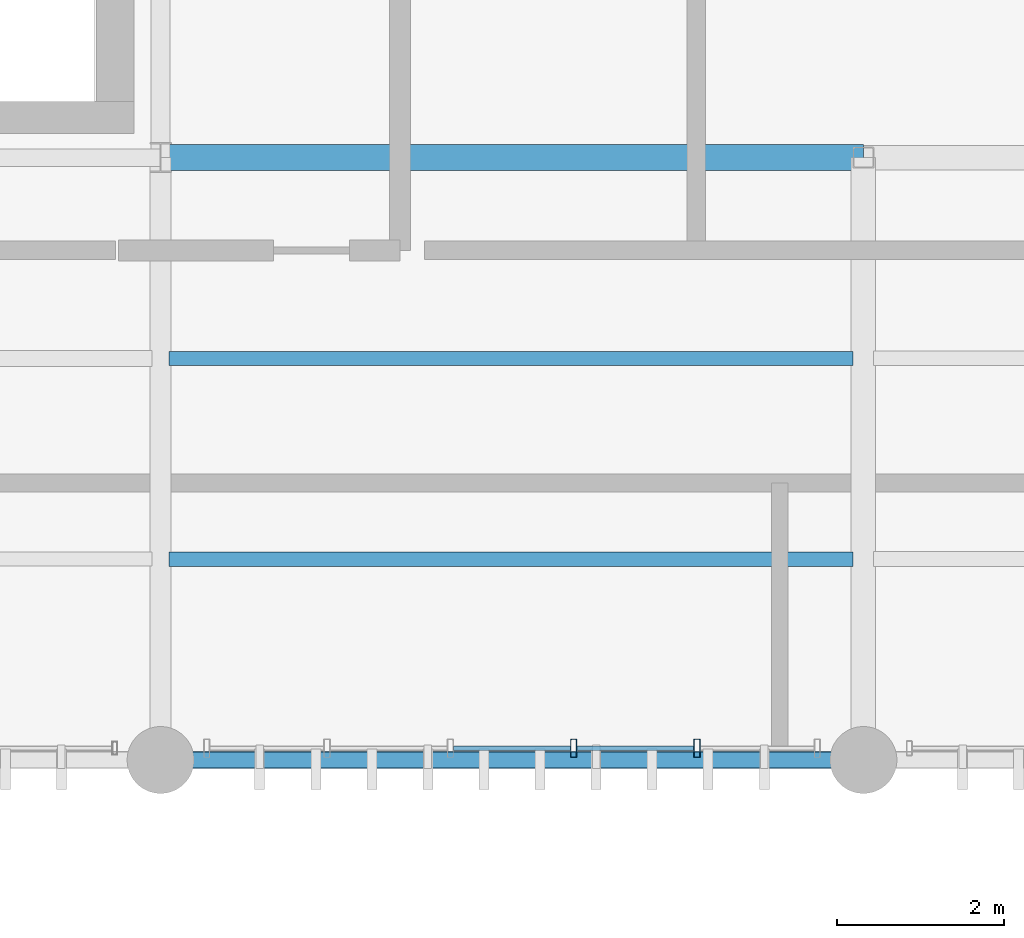
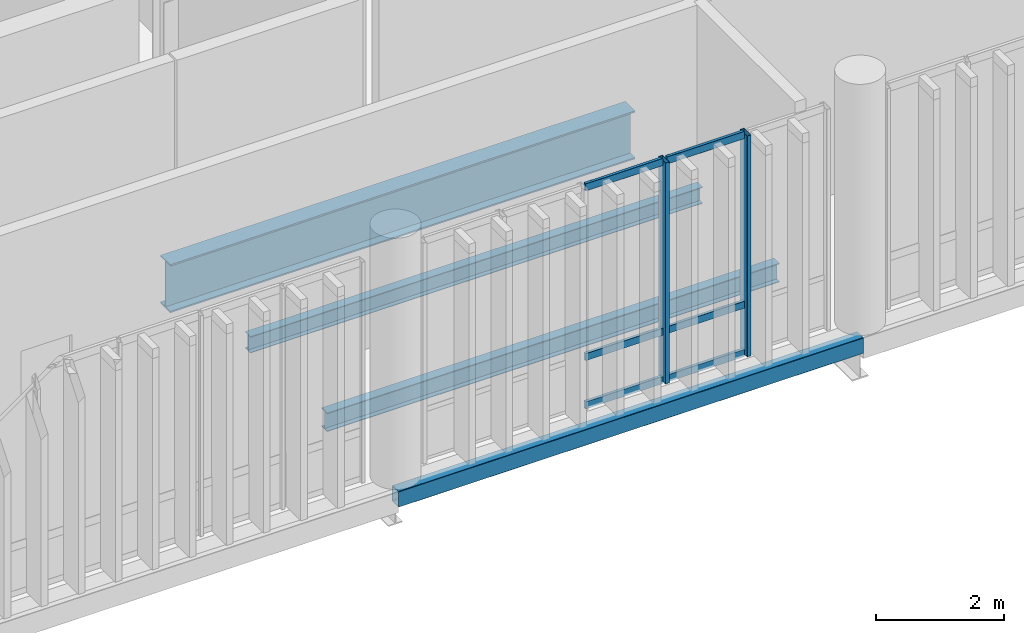
# One storey, part 31 of 94: 8 members, 4 beams, 1 element without a shape of its own.
"""IFC4 building model written with IfcOpenShell, lengths in metres."""

from ifc_helpers import new_model, si_unit, direction, frame, origin_with_axes, origin_2d_with_axis, place, context, subcontext, project, spatial, hollow_rectangle, i_section, extrude, material, material_profile, profile_set, type_object, element, aggregate, save


model = new_model("IFC4")

# Units and contexts
model_context = context("Model", 3, precision=1e-05, world=origin_with_axes(), true_north=direction((0.0, 1.0)))
body_context = subcontext(model_context, "Body", "Model", "MODEL_VIEW")
ifc_project = project(units=[si_unit("LENGTHUNIT", "METRE"), si_unit("AREAUNIT", "SQUARE_METRE"), si_unit("VOLUMEUNIT", "CUBIC_METRE"), si_unit("PLANEANGLEUNIT", "RADIAN"), si_unit("MASSUNIT", "GRAM", prefix="KILO"), si_unit("THERMODYNAMICTEMPERATUREUNIT", "KELVIN")], contexts=[model_context])

# Site, building, storey
site_placement = place(None, origin_with_axes())
site = spatial("IfcSite", under=ifc_project, at=site_placement, CompositionType="ELEMENT")
building_placement = place(site_placement, origin_with_axes())
building = spatial("IfcBuilding", under=site, at=building_placement, Name="Montbau Bow Law Courts", CompositionType="ELEMENT")
storey_placement = place(building_placement, frame((0.0, 0.0, 15.6), z_axis=(0.0, 0.0, 1.0), x_axis=(1.0, 0.0, 0.0)))
storey = spatial("IfcBuildingStorey", under=building, at=storey_placement, Name="L03", CompositionType="ELEMENT", Elevation=15.6)

# Beams
ifc_material_1 = material(Name="Steel CSA G40.21 Grade 350W (350 MPa)", Category="steel")
ifc_material_profile_1 = material_profile(ifc_material_1, i_section(OverallWidth=0.306, OverallDepth=0.919, WebThickness=0.0173, FlangeThickness=0.0279, at=origin_2d_with_axis()), Name="W920X253", Category="Main", Priority=0)
ifc_profile_set_1 = profile_set([ifc_material_profile_1], Name="Steel CSA G40.21 Grade 350W (350 MPa)")
beam_type_1 = type_object("IfcBeamType", Name="B-FLR-01", PredefinedType="BEAM", material=ifc_profile_set_1)
beam_1_placement = place(None, frame((63.6, 46.2, 14.88), z_axis=(1.0, 0.0, 0.0), x_axis=(0.0, 1.0, 0.0)))
element("IfcBeam", 1, at=beam_1_placement, inside=storey, type_object=beam_type_1, Name="BM-L03-S0882:bm2_0885", PredefinedType="BEAM", context=body_context, shape_type="SweptSolid", body=[
    extrude(i_section(OverallWidth=0.306, OverallDepth=0.919, WebThickness=0.0173, FlangeThickness=0.0279, at=origin_2d_with_axis()), origin_with_axes(), (0.0, 0.0, 1.0), 8.4),
])
ifc_material_profile_2 = material_profile(ifc_material_1, i_section(OverallWidth=0.172, OverallDepth=0.358, WebThickness=0.0079, FlangeThickness=0.0131, at=origin_2d_with_axis()), Name="W360X57", Category="Main", Priority=0)
ifc_profile_set_2 = profile_set([ifc_material_profile_2], Name="Steel CSA G40.21 Grade 350W (350 MPa)")
beam_type_2 = type_object("IfcBeamType", Name="B-JST-03", PredefinedType="JOIST", material=ifc_profile_set_2)
beam_2_placement = place(None, frame((63.703, 41.4, 15.161), z_axis=(1.0, 0.0, 0.0), x_axis=(0.0, 1.0, 0.0)))
element("IfcBeam", 2, at=beam_2_placement, inside=storey, type_object=beam_type_2, Name="JST-L03-S0462:jst2_0462", PredefinedType="JOIST", context=body_context, shape_type="SweptSolid", body=[
    extrude(i_section(OverallWidth=0.172, OverallDepth=0.358, WebThickness=0.0079, FlangeThickness=0.0131, at=origin_2d_with_axis()), origin_with_axes(), (0.0, 0.0, 1.0), 8.174),
])
ifc_material_profile_3 = material_profile(ifc_material_1, i_section(OverallWidth=0.166, OverallDepth=0.313, WebThickness=0.0066, FlangeThickness=0.0112, at=origin_2d_with_axis()), Name="W310X45", Category="Main", Priority=0)
ifc_profile_set_3 = profile_set([ifc_material_profile_3], Name="Steel CSA G40.21 Grade 350W (350 MPa)")
beam_type_3 = type_object("IfcBeamType", Name="B-JST-04", PredefinedType="JOIST", material=ifc_profile_set_3)
beam_3_placement = place(None, frame((63.703, 43.8, 15.184), z_axis=(1.0, 0.0, 0.0), x_axis=(0.0, 1.0, 0.0)))
element("IfcBeam", 3, at=beam_3_placement, inside=storey, type_object=beam_type_3, Name="JST-L03-S0463:jst2_0463", PredefinedType="JOIST", context=body_context, shape_type="SweptSolid", body=[
    extrude(i_section(OverallWidth=0.166, OverallDepth=0.313, WebThickness=0.0066, FlangeThickness=0.0112, at=origin_2d_with_axis()), origin_with_axes(), (0.0, 0.0, 1.0), 8.174),
])
ifc_material_2 = material(Name="Steel CSA G40.21 Grade 350WT (350 MPa)", Category="steel")
ifc_material_profile_4 = material_profile(ifc_material_2, hollow_rectangle(XDim=0.203, YDim=0.305, WallThickness=0.0127, InnerFilletRadius=0.0254, OuterFilletRadius=0.0127, at=origin_2d_with_axis()), Name="HSS305X203X13", Category="Main", Priority=0)
ifc_profile_set_4 = profile_set([ifc_material_profile_4], Name="Steel CSA G40.21 Grade 350WT (350 MPa)")
beam_type_4 = type_object("IfcBeamType", Name="B-SPN-02", PredefinedType="SPANDREL", material=ifc_profile_set_4)
beam_4_placement = place(None, frame((63.6, 39.0, 15.188), z_axis=(1.0, 0.0, 0.0), x_axis=(0.0, 1.0, 0.0)))
element("IfcBeam", 4, at=beam_4_placement, inside=storey, type_object=beam_type_4, Name="SPN-L03-S0876:bm2_0879", PredefinedType="SPANDREL", context=body_context, shape_type="SweptSolid", body=[
    extrude(hollow_rectangle(XDim=0.203, YDim=0.305, WallThickness=0.0127, InnerFilletRadius=0.0254, OuterFilletRadius=0.0127, at=origin_2d_with_axis()), origin_with_axes(), (0.0, 0.0, 1.0), 8.4),
])

# Curtain wall, members
ifc_material_3 = material(Name="Thermally Broken Extruded Aluminium AA 6063-T6", Category="aluminium")
curtain_wall_type = type_object("IfcCurtainWallType", Name="CW-CRM-01", PredefinedType="NOTDEFINED", material=ifc_material_3)
curtain_wall_placement = place(None, frame((64.115, 39.14, 15.6), z_axis=(0.0, 0.0, 1.0), x_axis=(1.0, 0.0, 0.0)))
curtain_wall = element("IfcCurtainWall", 5, at=curtain_wall_placement, inside=storey, type_object=curtain_wall_type, Name="CW-L03-177:cw_0177", PredefinedType="NOTDEFINED")
ifc_material_profile_5 = material_profile(ifc_material_3, hollow_rectangle(XDim=0.075, YDim=0.22, WallThickness=0.005, InnerFilletRadius=0.01, OuterFilletRadius=0.005, at=origin_2d_with_axis()), Name="CWM-220X75", Category="Main", Priority=0)
ifc_profile_set_5 = profile_set([ifc_material_profile_5], Name="Thermally Broken Extruded Aluminium AA 6063-T6")
member_type_1 = type_object("IfcMemberType", Name="M-MUL-01", PredefinedType="MULLION", material=ifc_profile_set_5)
member_1_placement = place(None, frame((68.537, 39.14, 15.6), z_axis=(0.0, 0.0, 1.0), x_axis=(1.0, 0.0, 0.0)))
member_1 = element("IfcMember", 6, at=member_1_placement, type_object=member_type_1, Name="CW-L03-177-M04:cw_0177_M04", PredefinedType="MULLION", context=body_context, shape_type="SweptSolid", body=[
    extrude(hollow_rectangle(XDim=0.075, YDim=0.22, WallThickness=0.005, InnerFilletRadius=0.01, OuterFilletRadius=0.005, at=origin_2d_with_axis()), origin_with_axes(), (0.0, 0.0, 1.0), 4.22),
])
member_2_placement = place(None, frame((70.011, 39.14, 15.6), z_axis=(0.0, 0.0, 1.0), x_axis=(1.0, 0.0, 0.0)))
member_2 = element("IfcMember", 7, at=member_2_placement, type_object=member_type_1, Name="CW-L03-177-M05:cw_0177_M05", PredefinedType="MULLION", context=body_context, shape_type="SweptSolid", body=[
    extrude(hollow_rectangle(XDim=0.075, YDim=0.22, WallThickness=0.005, InnerFilletRadius=0.01, OuterFilletRadius=0.005, at=origin_2d_with_axis()), origin_with_axes(), (0.0, 0.0, 1.0), 4.22),
])
ifc_material_profile_6 = material_profile(ifc_material_3, hollow_rectangle(XDim=0.055, YDim=0.14, WallThickness=0.004, InnerFilletRadius=0.008, OuterFilletRadius=0.004, at=origin_2d_with_axis()), Name="CWT-140X55", Category="Main", Priority=0)
ifc_profile_set_6 = profile_set([ifc_material_profile_6], Name="Thermally Broken Extruded Aluminium AA 6063-T6")
member_type_2 = type_object("IfcMemberType", Name="M-TRN-02", PredefinedType="USERDEFINED", material=ifc_profile_set_6)
member_3_placement = place(None, frame((67.102, 39.14, 15.627), z_axis=(1.0, 0.0, 0.0), x_axis=(0.0, 1.0, 0.0)))
member_3 = element("IfcMember", 8, at=member_3_placement, type_object=member_type_2, Name="CW-L03-177-T03-1:cw_0177_T03_1", ObjectType="TRANSOM", PredefinedType="USERDEFINED", context=body_context, shape_type="SweptSolid", body=[
    extrude(hollow_rectangle(XDim=0.055, YDim=0.14, WallThickness=0.004, InnerFilletRadius=0.008, OuterFilletRadius=0.004, at=origin_2d_with_axis()), origin_with_axes(), (0.0, 0.0, 1.0), 1.396),
])
member_4_placement = place(None, frame((67.102, 39.14, 16.55), z_axis=(1.0, 0.0, 0.0), x_axis=(0.0, 1.0, 0.0)))
member_4 = element("IfcMember", 9, at=member_4_placement, type_object=member_type_2, Name="CW-L03-177-T03-2:cw_0177_T03_2", ObjectType="TRANSOM", PredefinedType="USERDEFINED", context=body_context, shape_type="SweptSolid", body=[
    extrude(hollow_rectangle(XDim=0.055, YDim=0.14, WallThickness=0.004, InnerFilletRadius=0.008, OuterFilletRadius=0.004, at=origin_2d_with_axis()), origin_with_axes(), (0.0, 0.0, 1.0), 1.396),
])
member_5_placement = place(None, frame((67.102, 39.14, 19.793), z_axis=(1.0, 0.0, 0.0), x_axis=(0.0, 1.0, 0.0)))
member_5 = element("IfcMember", 10, at=member_5_placement, type_object=member_type_2, Name="CW-L03-177-T03-3:cw_0177_T03_3", ObjectType="TRANSOM", PredefinedType="USERDEFINED", context=body_context, shape_type="SweptSolid", body=[
    extrude(hollow_rectangle(XDim=0.055, YDim=0.14, WallThickness=0.004, InnerFilletRadius=0.008, OuterFilletRadius=0.004, at=origin_2d_with_axis()), origin_with_axes(), (0.0, 0.0, 1.0), 1.396),
])
member_6_placement = place(None, frame((68.576, 39.14, 15.627), z_axis=(1.0, 0.0, 0.0), x_axis=(0.0, 1.0, 0.0)))
member_6 = element("IfcMember", 11, at=member_6_placement, type_object=member_type_2, Name="CW-L03-177-T04-1:cw_0177_T04_1", ObjectType="TRANSOM", PredefinedType="USERDEFINED", context=body_context, shape_type="SweptSolid", body=[
    extrude(hollow_rectangle(XDim=0.055, YDim=0.14, WallThickness=0.004, InnerFilletRadius=0.008, OuterFilletRadius=0.004, at=origin_2d_with_axis()), origin_with_axes(), (0.0, 0.0, 1.0), 1.396),
])
member_7_placement = place(None, frame((68.576, 39.14, 16.55), z_axis=(1.0, 0.0, 0.0), x_axis=(0.0, 1.0, 0.0)))
member_7 = element("IfcMember", 12, at=member_7_placement, type_object=member_type_2, Name="CW-L03-177-T04-2:cw_0177_T04_2", ObjectType="TRANSOM", PredefinedType="USERDEFINED", context=body_context, shape_type="SweptSolid", body=[
    extrude(hollow_rectangle(XDim=0.055, YDim=0.14, WallThickness=0.004, InnerFilletRadius=0.008, OuterFilletRadius=0.004, at=origin_2d_with_axis()), origin_with_axes(), (0.0, 0.0, 1.0), 1.396),
])
member_8_placement = place(None, frame((68.576, 39.14, 19.793), z_axis=(1.0, 0.0, 0.0), x_axis=(0.0, 1.0, 0.0)))
member_8 = element("IfcMember", 13, at=member_8_placement, type_object=member_type_2, Name="CW-L03-177-T04-3:cw_0177_T04_3", ObjectType="TRANSOM", PredefinedType="USERDEFINED", context=body_context, shape_type="SweptSolid", body=[
    extrude(hollow_rectangle(XDim=0.055, YDim=0.14, WallThickness=0.004, InnerFilletRadius=0.008, OuterFilletRadius=0.004, at=origin_2d_with_axis()), origin_with_axes(), (0.0, 0.0, 1.0), 1.396),
])
aggregate(curtain_wall, [member_1, member_2, member_3, member_4, member_5, member_6, member_7, member_8])

save(model, "model.ifc")
